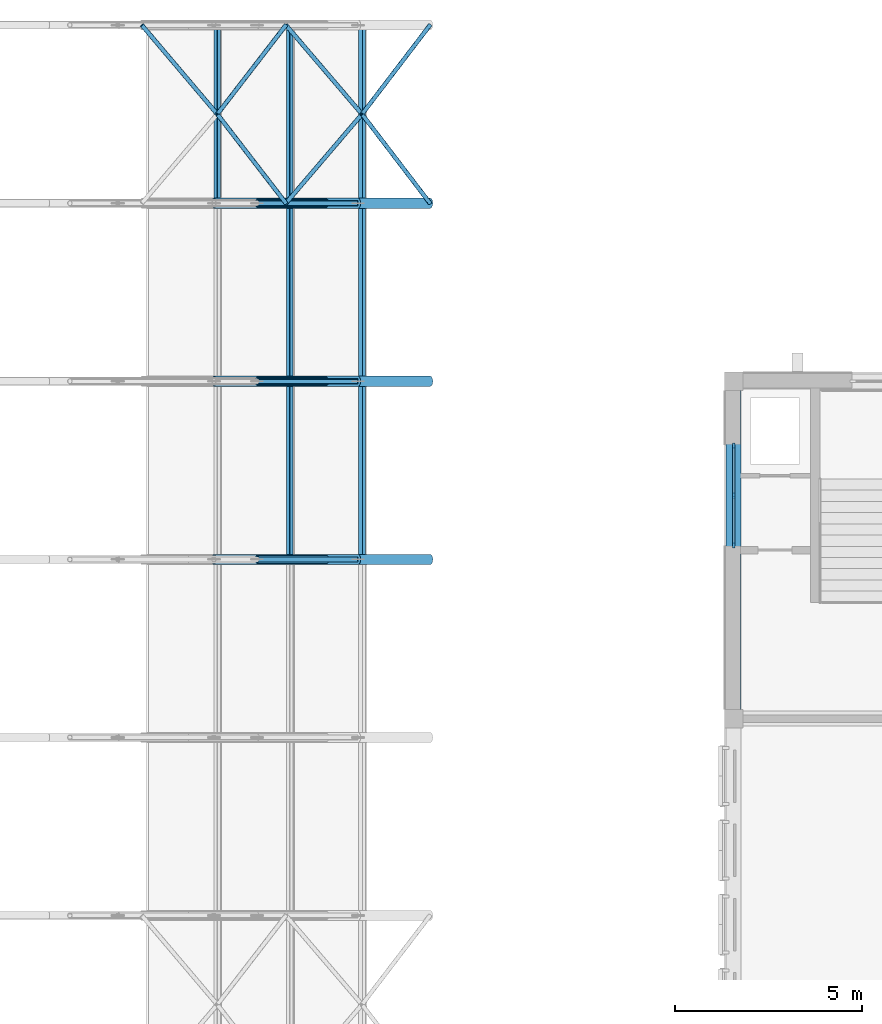
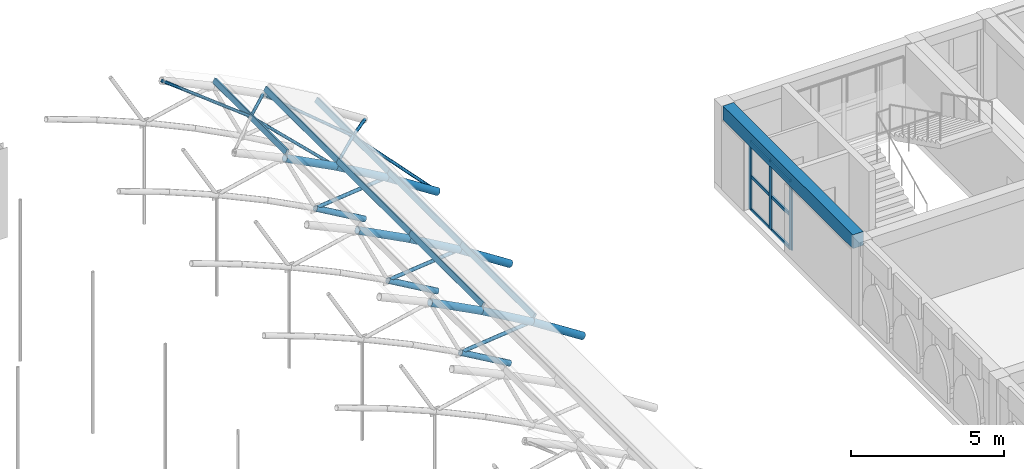
# One storey, part 18 of 50: 38 members, 1 beam, 1 element without a shape of its own.
"""IFC4 building model written with IfcOpenShell, lengths in metres."""

from ifc_helpers import new_model, si_unit, direction, frame, origin, origin_2d, place, context, subcontext, project, spatial, rectangle, hollow_rectangle, hollow_circle, extrude, material, layer, layer_set, material_profile, profile_set, type_object, element, aggregate, save


model = new_model("IFC4")

# Units and contexts
model_context = context("Model", 3, precision=1e-05, world=origin(), true_north=direction((0.0, 1.0)))
body_context = subcontext(model_context, "Body", "Model", "MODEL_VIEW")
ifc_project = project(units=[si_unit("LENGTHUNIT", "METRE"), si_unit("AREAUNIT", "SQUARE_METRE"), si_unit("VOLUMEUNIT", "CUBIC_METRE"), si_unit("PLANEANGLEUNIT", "RADIAN"), si_unit("MASSUNIT", "GRAM", prefix="KILO")], contexts=[model_context])

# Site, building, storey
site_placement = place(None, origin())
site = spatial("IfcSite", under=ifc_project, at=site_placement, CompositionType="ELEMENT")
building_placement = place(site_placement, origin())
building = spatial("IfcBuilding", under=site, at=building_placement, Name="Elbe Cascade School", CompositionType="ELEMENT")
storey_placement = place(building_placement, frame((0.0, 0.0, 15.300048828125)))
storey = spatial("IfcBuildingStorey", under=building, at=storey_placement, Name="L04", CompositionType="ELEMENT", Elevation=15.300048828125)

# Curtain wall, members
ifc_material_1 = material(Name="Aluminium frame with double glazing, bronze anodised", Category="aluminium")
ifc_layer = layer(ifc_material_1, 0.159912109375)
ifc_layer_set = layer_set([ifc_layer], Name="Aluminium frame with double glazing, bronze anodised")
curtain_wall_type = type_object("IfcCurtainWallType", Name="Bars envelope Curtain wall, aluminium, bronze anodised, storey-high slot", PredefinedType="NOTDEFINED", material=ifc_layer_set)
curtain_wall_placement = place(storey_placement, origin())
curtain_wall = element("IfcCurtainWall", 1, at=curtain_wall_placement, inside=storey, type_object=curtain_wall_type, Name="Curtain wall CW4 A.L04.w6", PredefinedType="NOTDEFINED")
ifc_material_2 = material(Name="Aluminium mullion, bronze anodised", Category="aluminium")
ifc_material_profile_1 = material_profile(ifc_material_2, rectangle(XDim=0.06005859375, YDim=0.159912109375, at=origin_2d()), Name="Bars envelope Curtain wall mullion 60 x 160, aluminium, storey-high slot")
ifc_profile_set_1 = profile_set([ifc_material_profile_1], Name="Aluminium mullion, bronze anodised")
member_type_1 = type_object("IfcMemberType", Name="Bars envelope Curtain wall mullion 60 x 160, aluminium, storey-high slot", PredefinedType="MULLION", material=ifc_profile_set_1)
member_1_placement = place(storey_placement, frame((69.0, 55.639892578125, 0.0), z_axis=(0.0, 0.0, 1.0), x_axis=(-1.0, 0.0, 0.0)))
member_1 = element("IfcMember", 2, at=member_1_placement, type_object=member_type_1, Name="CW4 mullion 1", PredefinedType="MULLION", context=body_context, shape_type="SweptSolid", body=[
    extrude(rectangle(XDim=0.06005859375, YDim=0.159912109375, at=origin_2d()), origin(), (0.0, 0.0, 1.0), 2.75),
])
member_2_placement = place(storey_placement, frame((69.0, 56.9599609375, 0.0), z_axis=(0.0, 0.0, 1.0), x_axis=(-1.0, 0.0, 0.0)))
member_2 = element("IfcMember", 3, at=member_2_placement, type_object=member_type_1, Name="CW4 mullion 2", PredefinedType="MULLION", context=body_context, shape_type="SweptSolid", body=[
    extrude(rectangle(XDim=0.06005859375, YDim=0.159912109375, at=origin_2d()), origin(), (0.0, 0.0, 1.0), 2.75),
])
member_3_placement = place(storey_placement, frame((69.0, 58.280029296875, 0.0), z_axis=(0.0, 0.0, 1.0), x_axis=(-1.0, 0.0, 0.0)))
member_3 = element("IfcMember", 4, at=member_3_placement, type_object=member_type_1, Name="CW4 mullion 3", PredefinedType="MULLION", context=body_context, shape_type="SweptSolid", body=[
    extrude(rectangle(XDim=0.06005859375, YDim=0.159912109375, at=origin_2d()), origin(), (0.0, 0.0, 1.0), 2.75),
])
ifc_material_3 = material(Name="Aluminium transom, bronze anodised", Category="aluminium")
ifc_material_profile_2 = material_profile(ifc_material_3, rectangle(XDim=0.06005859375, YDim=0.1201171875, at=origin_2d()), Name="Bars envelope Curtain wall transom 60 x 120, aluminium, storey-high slot")
ifc_profile_set_2 = profile_set([ifc_material_profile_2], Name="Aluminium transom, bronze anodised")
member_type_2 = type_object("IfcMemberType", Name="Bars envelope Curtain wall transom 60 x 120, aluminium, storey-high slot", PredefinedType="USERDEFINED", material=ifc_profile_set_2)
member_4_placement = place(storey_placement, frame((69.0, 55.669921875, 0.030029296875), z_axis=(0.0, 1.0, 0.0), x_axis=(-1.0, 0.0, 0.0)))
member_4 = element("IfcMember", 5, at=member_4_placement, type_object=member_type_2, Name="CW4 transom 1.1", ObjectType="TRANSOM", PredefinedType="USERDEFINED", context=body_context, shape_type="SweptSolid", body=[
    extrude(rectangle(XDim=0.06005859375, YDim=0.1201171875, at=origin_2d()), origin(), (0.0, 0.0, 1.0), 1.260009765625),
])
member_5_placement = place(storey_placement, frame((69.0, 55.669921875, 1.349853515625), z_axis=(0.0, 1.0, 0.0), x_axis=(-1.0, 0.0, 0.0)))
member_5 = element("IfcMember", 6, at=member_5_placement, type_object=member_type_2, Name="CW4 transom 1.2", ObjectType="TRANSOM", PredefinedType="USERDEFINED", context=body_context, shape_type="SweptSolid", body=[
    extrude(rectangle(XDim=0.06005859375, YDim=0.1201171875, at=origin_2d()), origin(), (0.0, 0.0, 1.0), 1.260009765625),
])
member_6_placement = place(storey_placement, frame((69.0, 55.669921875, 2.719970703125), z_axis=(0.0, 1.0, 0.0), x_axis=(-1.0, 0.0, 0.0)))
member_6 = element("IfcMember", 7, at=member_6_placement, type_object=member_type_2, Name="CW4 transom 1.3", ObjectType="TRANSOM", PredefinedType="USERDEFINED", context=body_context, shape_type="SweptSolid", body=[
    extrude(rectangle(XDim=0.06005859375, YDim=0.1201171875, at=origin_2d()), origin(), (0.0, 0.0, 1.0), 1.260009765625),
])
member_7_placement = place(storey_placement, frame((69.0, 56.989990234375, 0.030029296875), z_axis=(0.0, 1.0, 0.0), x_axis=(-1.0, 0.0, 0.0)))
member_7 = element("IfcMember", 8, at=member_7_placement, type_object=member_type_2, Name="CW4 transom 2.1", ObjectType="TRANSOM", PredefinedType="USERDEFINED", context=body_context, shape_type="SweptSolid", body=[
    extrude(rectangle(XDim=0.06005859375, YDim=0.1201171875, at=origin_2d()), origin(), (0.0, 0.0, 1.0), 1.260009765625),
])
member_8_placement = place(storey_placement, frame((69.0, 56.989990234375, 1.349853515625), z_axis=(0.0, 1.0, 0.0), x_axis=(-1.0, 0.0, 0.0)))
member_8 = element("IfcMember", 9, at=member_8_placement, type_object=member_type_2, Name="CW4 transom 2.2", ObjectType="TRANSOM", PredefinedType="USERDEFINED", context=body_context, shape_type="SweptSolid", body=[
    extrude(rectangle(XDim=0.06005859375, YDim=0.1201171875, at=origin_2d()), origin(), (0.0, 0.0, 1.0), 1.260009765625),
])
member_9_placement = place(storey_placement, frame((69.0, 56.989990234375, 2.719970703125), z_axis=(0.0, 1.0, 0.0), x_axis=(-1.0, 0.0, 0.0)))
member_9 = element("IfcMember", 10, at=member_9_placement, type_object=member_type_2, Name="CW4 transom 2.3", ObjectType="TRANSOM", PredefinedType="USERDEFINED", context=body_context, shape_type="SweptSolid", body=[
    extrude(rectangle(XDim=0.06005859375, YDim=0.1201171875, at=origin_2d()), origin(), (0.0, 0.0, 1.0), 1.260009765625),
])
aggregate(curtain_wall, [member_1, member_2, member_3, member_4, member_5, member_6, member_7, member_8, member_9])

# Members
ifc_material_4 = material(Name="Steel S355J2H", Category="steel")
ifc_material_profile_3 = material_profile(ifc_material_4, hollow_circle(Radius=0.109619140625, WallThickness=0.012451171875, at=origin_2d()), Name="CHS 219.1x12.5")
ifc_profile_set_3 = profile_set([ifc_material_profile_3], Name="Steel S355J2H")
member_type_3 = type_object("IfcMemberType", Name="Hall rib bottom chord CHS 219.1x12.5", PredefinedType="CHORD", material=ifc_profile_set_3)
for number, where, z_axis, x_axis, name in (
    (11, (56.28564453125, 55.25, 0.568603515625), (0.864836718866, 0.0, -0.502053233931), (0.0, 1.0, 0.0), "Hall rib bottom chord CHS 219.1x12.5 M3"),
    (12, (56.28564453125, 60.0, 0.568603515625), (0.864836718866, 0.0, -0.502053233931), (0.0, 1.0, 0.0), "Hall rib bottom chord CHS 219.1x12.5 M3"),
    (13, (56.28564453125, 64.75, 0.568603515625), (0.864836718866, 0.0, -0.502053233931), (0.0, 1.0, 0.0), "Hall rib bottom chord CHS 219.1x12.5 M3"),
):
    element("IfcMember", number, at=place(storey_placement, frame(where, z_axis=z_axis, x_axis=x_axis)), inside=storey, type_object=member_type_3, Name=name, PredefinedType="CHORD", context=body_context, shape_type="SweptSolid", body=[
        extrude(hollow_circle(Radius=0.109619140625, WallThickness=0.012451171875, at=origin_2d()), origin(), (0.0, 0.0, 1.0), 2.1474609375),
    ])
ifc_material_5 = material(Name="Steel S355J2H", Category="steel")
ifc_material_profile_4 = material_profile(ifc_material_5, hollow_circle(Radius=0.136474609375, WallThickness=0.012451171875, at=origin_2d()), Name="CHS 273x12.5")
ifc_profile_set_4 = profile_set([ifc_material_profile_4], Name="Steel S355J2H")
member_type_4 = type_object("IfcMemberType", Name="Hall rib top chord CHS 273x12.5", PredefinedType="CHORD", material=ifc_profile_set_4)
member_10_placement = place(storey_placement, frame((55.13525390625, 55.25, 2.97119140625), z_axis=(0.886958329454, 0.0, -0.461849457954), x_axis=(0.0, 1.0, 0.0)))
element("IfcMember", 14, at=member_10_placement, inside=storey, type_object=member_type_4, Name="Hall rib top chord CHS 273x12.5 M2", PredefinedType="CHORD", context=body_context, shape_type="SweptSolid", body=[
    extrude(hollow_circle(Radius=0.136474609375, WallThickness=0.012451171875, at=origin_2d()), origin(), (0.0, 0.0, 1.0), 2.166259765625),
])
member_11_placement = place(storey_placement, frame((57.056640625, 55.25, 1.970703125), z_axis=(0.86482126995, 0.0, -0.502079845286), x_axis=(0.0, 1.0, 0.0)))
element("IfcMember", 15, at=member_11_placement, inside=storey, type_object=member_type_4, Name="Hall rib top chord CHS 273x12.5 M2", PredefinedType="CHORD", context=body_context, shape_type="SweptSolid", body=[
    extrude(hollow_circle(Radius=0.136474609375, WallThickness=0.012451171875, at=origin_2d()), origin(), (0.0, 0.0, 1.0), 2.2216796875),
])
member_12_placement = place(storey_placement, frame((58.97802734375, 55.25, 0.855224609375), z_axis=(0.840219764602, 0.0, -0.542246020891), x_axis=(0.0, 1.0, 0.0)))
element("IfcMember", 16, at=member_12_placement, inside=storey, type_object=member_type_4, Name="Hall rib top chord CHS 273x12.5 M2", PredefinedType="CHORD", context=body_context, shape_type="SweptSolid", body=[
    extrude(hollow_circle(Radius=0.136474609375, WallThickness=0.012451171875, at=origin_2d()), origin(), (0.0, 0.0, 1.0), 2.286865234375),
])
member_13_placement = place(storey_placement, frame((55.13525390625, 60.0, 2.97119140625), z_axis=(0.886958329454, 0.0, -0.461849457954), x_axis=(0.0, 1.0, 0.0)))
element("IfcMember", 17, at=member_13_placement, inside=storey, type_object=member_type_4, Name="Hall rib top chord CHS 273x12.5 M2", PredefinedType="CHORD", context=body_context, shape_type="SweptSolid", body=[
    extrude(hollow_circle(Radius=0.136474609375, WallThickness=0.012451171875, at=origin_2d()), origin(), (0.0, 0.0, 1.0), 2.166259765625),
])
member_14_placement = place(storey_placement, frame((57.056640625, 60.0, 1.970703125), z_axis=(0.86482126995, 0.0, -0.502079845286), x_axis=(0.0, 1.0, 0.0)))
element("IfcMember", 18, at=member_14_placement, inside=storey, type_object=member_type_4, Name="Hall rib top chord CHS 273x12.5 M2", PredefinedType="CHORD", context=body_context, shape_type="SweptSolid", body=[
    extrude(hollow_circle(Radius=0.136474609375, WallThickness=0.012451171875, at=origin_2d()), origin(), (0.0, 0.0, 1.0), 2.2216796875),
])
member_15_placement = place(storey_placement, frame((58.97802734375, 60.0, 0.855224609375), z_axis=(0.840219764602, 0.0, -0.542246020891), x_axis=(0.0, 1.0, 0.0)))
element("IfcMember", 19, at=member_15_placement, inside=storey, type_object=member_type_4, Name="Hall rib top chord CHS 273x12.5 M2", PredefinedType="CHORD", context=body_context, shape_type="SweptSolid", body=[
    extrude(hollow_circle(Radius=0.136474609375, WallThickness=0.012451171875, at=origin_2d()), origin(), (0.0, 0.0, 1.0), 2.286865234375),
])
member_16_placement = place(storey_placement, frame((55.13525390625, 64.75, 2.97119140625), z_axis=(0.886958329454, 0.0, -0.461849457954), x_axis=(0.0, 1.0, 0.0)))
element("IfcMember", 20, at=member_16_placement, inside=storey, type_object=member_type_4, Name="Hall rib top chord CHS 273x12.5 M2", PredefinedType="CHORD", context=body_context, shape_type="SweptSolid", body=[
    extrude(hollow_circle(Radius=0.136474609375, WallThickness=0.012451171875, at=origin_2d()), origin(), (0.0, 0.0, 1.0), 2.166259765625),
])
member_17_placement = place(storey_placement, frame((57.056640625, 64.75, 1.970703125), z_axis=(0.86482126995, 0.0, -0.502079845286), x_axis=(0.0, 1.0, 0.0)))
element("IfcMember", 21, at=member_17_placement, inside=storey, type_object=member_type_4, Name="Hall rib top chord CHS 273x12.5 M2", PredefinedType="CHORD", context=body_context, shape_type="SweptSolid", body=[
    extrude(hollow_circle(Radius=0.136474609375, WallThickness=0.012451171875, at=origin_2d()), origin(), (0.0, 0.0, 1.0), 2.2216796875),
])
member_18_placement = place(storey_placement, frame((58.97802734375, 64.75, 0.855224609375), z_axis=(0.840219764602, 0.0, -0.542246020891), x_axis=(0.0, 1.0, 0.0)))
element("IfcMember", 22, at=member_18_placement, inside=storey, type_object=member_type_4, Name="Hall rib top chord CHS 273x12.5 M2", PredefinedType="CHORD", context=body_context, shape_type="SweptSolid", body=[
    extrude(hollow_circle(Radius=0.136474609375, WallThickness=0.012451171875, at=origin_2d()), origin(), (0.0, 0.0, 1.0), 2.286865234375),
])
ifc_material_6 = material(Name="Steel S355J2H", Category="steel")
ifc_material_profile_5 = material_profile(ifc_material_6, hollow_circle(Radius=0.06982421875, WallThickness=0.008056640625, at=origin_2d()), Name="CHS 139.7x8")
ifc_profile_set_5 = profile_set([ifc_material_profile_5], Name="Steel S355J2H")
member_type_5 = type_object("IfcMemberType", Name="Hall rib web CHS 139.7x8", PredefinedType="BRACE", material=ifc_profile_set_5)
for number, where, z_axis, x_axis, name in (
    (23, (56.28564453125, 55.25, 0.568603515625), (0.994381241781, 0.0, 0.1058581409), (0.0, 1.0, 0.0), "Hall rib web CHS 139.7x8 M4"),
    (24, (56.28564453125, 60.0, 0.568603515625), (0.994381241781, 0.0, 0.1058581409), (0.0, 1.0, 0.0), "Hall rib web CHS 139.7x8 M4"),
    (25, (56.28564453125, 64.75, 0.568603515625), (0.994381241781, 0.0, 0.1058581409), (0.0, 1.0, 0.0), "Hall rib web CHS 139.7x8 M4"),
):
    element("IfcMember", number, at=place(storey_placement, frame(where, z_axis=z_axis, x_axis=x_axis)), inside=storey, type_object=member_type_5, Name=name, PredefinedType="BRACE", context=body_context, shape_type="SweptSolid", body=[
        extrude(hollow_circle(Radius=0.06982421875, WallThickness=0.008056640625, at=origin_2d()), origin(), (0.0, 0.0, 1.0), 2.70751953125),
    ])
ifc_material_7 = material(Name="Steel S355J2H", Category="steel")
ifc_material_profile_6 = material_profile(ifc_material_7, hollow_circle(Radius=0.05712890625, WallThickness=0.00634765625, at=origin_2d()), Name="CHS 114.3x6.3")
ifc_profile_set_6 = profile_set([ifc_material_profile_6], Name="Steel S355J2H")
member_type_6 = type_object("IfcMemberType", Name="Hall roof bracing CHS 114.3x6.3", PredefinedType="BRACE", material=ifc_profile_set_6)
member_19_placement = place(storey_placement, frame((55.2265625, 67.125, 3.156494140625), z_axis=(0.567594721189, 0.736601046922, -0.367770485701), x_axis=(-0.792115177323, 0.610371645684, 0.0)))
element("IfcMember", 26, at=member_19_placement, inside=storey, type_object=member_type_6, Name="Hall roof bracing CHS 114.3x6.3 M9", PredefinedType="BRACE", context=body_context, shape_type="SweptSolid", body=[
    extrude(hollow_circle(Radius=0.05712890625, WallThickness=0.00634765625, at=origin_2d()), origin(), (0.0, 0.0, 1.0), 3.224365234375),
])
member_20_placement = place(storey_placement, frame((55.2265625, 67.125, 3.156494140625), z_axis=(-0.630399186919, 0.743877157975, 0.221909078171), x_axis=(-0.762898222969, -0.646518600962, 0.0)))
element("IfcMember", 27, at=member_20_placement, inside=storey, type_object=member_type_6, Name="Hall roof bracing CHS 114.3x6.3 M9", PredefinedType="BRACE", context=body_context, shape_type="SweptSolid", body=[
    extrude(hollow_circle(Radius=0.05712890625, WallThickness=0.00634765625, at=origin_2d()), origin(), (0.0, 0.0, 1.0), 3.192626953125),
])
member_21_placement = place(storey_placement, frame((55.2265625, 67.125, 3.156494140625), z_axis=(0.567594721189, -0.736601046922, -0.367770485701), x_axis=(0.792115177323, 0.610371645684, 0.0)))
element("IfcMember", 28, at=member_21_placement, inside=storey, type_object=member_type_6, Name="Hall roof bracing CHS 114.3x6.3 M9", PredefinedType="BRACE", context=body_context, shape_type="SweptSolid", body=[
    extrude(hollow_circle(Radius=0.05712890625, WallThickness=0.00634765625, at=origin_2d()), origin(), (0.0, 0.0, 1.0), 3.224365234375),
])
member_22_placement = place(storey_placement, frame((59.0859375, 67.125, 1.03125), z_axis=(-0.622084537409, -0.728060440317, 0.287991012987), x_axis=(0.760270746172, -0.649606336573, 0.0)))
element("IfcMember", 29, at=member_22_placement, inside=storey, type_object=member_type_6, Name="Hall roof bracing CHS 114.3x6.3 M9", PredefinedType="BRACE", context=body_context, shape_type="SweptSolid", body=[
    extrude(hollow_circle(Radius=0.05712890625, WallThickness=0.00634765625, at=origin_2d()), origin(), (0.0, 0.0, 1.0), 3.26220703125),
])
member_23_placement = place(storey_placement, frame((59.0859375, 67.125, 1.03125), z_axis=(0.548420931202, 0.718233551257, -0.428223128833), x_axis=(-0.794793608341, 0.606879823474, 0.0)))
element("IfcMember", 30, at=member_23_placement, inside=storey, type_object=member_type_6, Name="Hall roof bracing CHS 114.3x6.3 M9", PredefinedType="BRACE", context=body_context, shape_type="SweptSolid", body=[
    extrude(hollow_circle(Radius=0.05712890625, WallThickness=0.00634765625, at=origin_2d()), origin(), (0.0, 0.0, 1.0), 3.306640625),
])
member_24_placement = place(storey_placement, frame((59.0859375, 67.125, 1.03125), z_axis=(-0.622084537409, 0.728060440317, 0.287991012987), x_axis=(-0.760270746172, -0.649606336573, 0.0)))
element("IfcMember", 31, at=member_24_placement, inside=storey, type_object=member_type_6, Name="Hall roof bracing CHS 114.3x6.3 M9", PredefinedType="BRACE", context=body_context, shape_type="SweptSolid", body=[
    extrude(hollow_circle(Radius=0.05712890625, WallThickness=0.00634765625, at=origin_2d()), origin(), (0.0, 0.0, 1.0), 3.26220703125),
])
member_25_placement = place(storey_placement, frame((59.0859375, 67.125, 1.03125), z_axis=(0.548420931202, -0.718233551257, -0.428223128833), x_axis=(0.794793608341, 0.606879823474, 0.0)))
element("IfcMember", 32, at=member_25_placement, inside=storey, type_object=member_type_6, Name="Hall roof bracing CHS 114.3x6.3 M9", PredefinedType="BRACE", context=body_context, shape_type="SweptSolid", body=[
    extrude(hollow_circle(Radius=0.05712890625, WallThickness=0.00634765625, at=origin_2d()), origin(), (0.0, 0.0, 1.0), 3.306640625),
])
ifc_material_8 = material(Name="Steel S355J2H", Category="steel")
ifc_material_profile_7 = material_profile(ifc_material_8, hollow_rectangle(XDim=0.10009765625, YDim=0.199951171875, WallThickness=0.008056640625, InnerFilletRadius=0.008056640625, OuterFilletRadius=0.011962890625, at=origin_2d()), Name="RHS 200x100x8")
ifc_profile_set_7 = profile_set([ifc_material_profile_7], Name="Steel S355J2H")
member_type_7 = type_object("IfcMemberType", Name="Hall roof purlin RHS 200x100x8", PredefinedType="PURLIN", material=ifc_profile_set_7)
for number, where, z_axis, x_axis, name in (
    (33, (55.2265625, 64.75, 3.156494140625), (0.0, 1.0, 0.0), (-0.897163381573, 0.0, 0.441698841706), "Hall roof purlin RHS 200x100x8 M8"),
    (34, (57.15625, 55.25, 2.151611328125), (0.0, 1.0, 0.0), (-0.876251912848, 0.0, 0.481853281851), "Hall roof purlin RHS 200x100x8 M8"),
    (35, (57.15625, 60.0, 2.151611328125), (0.0, 1.0, 0.0), (-0.876251912848, 0.0, 0.481853281851), "Hall roof purlin RHS 200x100x8 M8"),
    (36, (57.15625, 64.75, 2.151611328125), (0.0, 1.0, 0.0), (-0.876251912848, 0.0, 0.481853281851), "Hall roof purlin RHS 200x100x8 M8"),
    (37, (59.0859375, 55.25, 1.03125), (0.0, 1.0, 0.0), (-0.852940758882, 0.0, 0.52200772201), "Hall roof purlin RHS 200x100x8 M8"),
    (38, (59.0859375, 60.0, 1.03125), (0.0, 1.0, 0.0), (-0.852940758882, 0.0, 0.52200772201), "Hall roof purlin RHS 200x100x8 M8"),
    (39, (59.0859375, 64.75, 1.03125), (0.0, 1.0, 0.0), (-0.852940758882, 0.0, 0.52200772201), "Hall roof purlin RHS 200x100x8 M8"),
):
    element("IfcMember", number, at=place(storey_placement, frame(where, z_axis=z_axis, x_axis=x_axis)), inside=storey, type_object=member_type_7, Name=name, PredefinedType="PURLIN", context=body_context, shape_type="SweptSolid", body=[
        extrude(hollow_rectangle(XDim=0.10009765625, YDim=0.199951171875, WallThickness=0.008056640625, InnerFilletRadius=0.008056640625, OuterFilletRadius=0.011962890625, at=origin_2d()), origin(), (0.0, 0.0, 1.0), 4.75),
    ])

# Beam
ifc_material_9 = material(Name="Concrete C30/37", Category="concrete")
ifc_material_profile_8 = material_profile(ifc_material_9, rectangle(XDim=0.39990234375, YDim=0.550048828125, at=origin_2d()), Name="RC 400x550")
ifc_profile_set_8 = profile_set([ifc_material_profile_8], Name="Concrete C30/37")
beam_type = type_object("IfcBeamType", Name="RC 400x550 beam", PredefinedType="BEAM", material=ifc_profile_set_8)
beam_placement = place(storey_placement, frame((69.0, 51.25, 3.02490234375), z_axis=(0.0, 1.0, 0.0), x_axis=(-1.0, 0.0, 0.0)))
element("IfcBeam", 40, at=beam_placement, inside=storey, type_object=beam_type, Name="RC 400x550 beam B4", PredefinedType="BEAM", context=body_context, shape_type="SweptSolid", body=[
    extrude(rectangle(XDim=0.39990234375, YDim=0.550048828125, at=origin_2d()), origin(), (0.0, 0.0, 1.0), 8.5),
])

save(model, "model.ifc")
